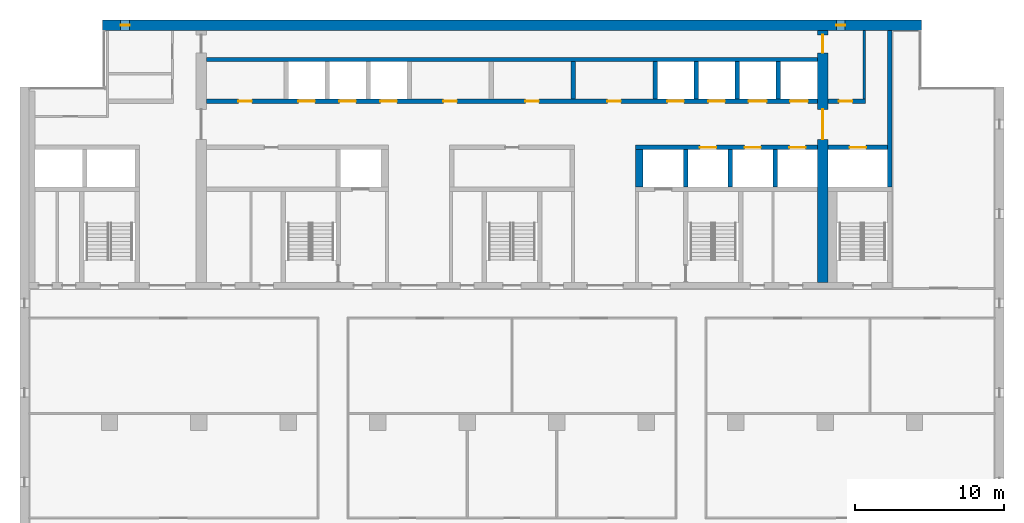
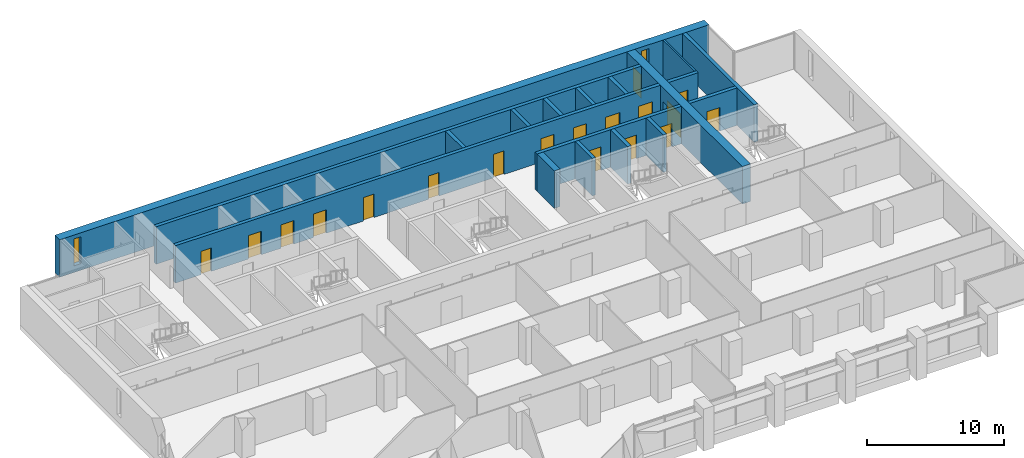
# One storey, part 11 of 17: 18 doors, 18 walls, 2 windows, 20 openings.
"""IFC4 building model written with IfcOpenShell, lengths in metres."""

from ifc_helpers import new_model, si_unit, direction, frame, frame_2d, origin, place, context, subcontext, project, spatial, rectangle, extrude, material, layer, layer_set, type_object, element, fill, save


model = new_model("IFC4")

# Units and contexts
model_context = context("Model", 3, precision=1e-05, world=origin(), true_north=direction((0.0, 1.0)))
body_context = subcontext(model_context, "Body", "Model", "MODEL_VIEW")
ifc_project = project(units=[si_unit("LENGTHUNIT", "METRE"), si_unit("AREAUNIT", "SQUARE_METRE"), si_unit("VOLUMEUNIT", "CUBIC_METRE"), si_unit("PLANEANGLEUNIT", "RADIAN"), si_unit("MASSUNIT", "GRAM", prefix="KILO")], contexts=[model_context])

# Site, building, storey
site_placement = place(None, origin())
site = spatial("IfcSite", under=ifc_project, at=site_placement, CompositionType="ELEMENT")
building_placement = place(site_placement, origin())
building = spatial("IfcBuilding", under=site, at=building_placement, Name="Calvaro Tower", CompositionType="ELEMENT")
storey_placement = place(building_placement, frame((0.0, 0.0, 189.25)))
storey = spatial("IfcBuildingStorey", under=building, at=storey_placement, Name="L47", CompositionType="ELEMENT", Elevation=189.25)

# Walls
ifc_material_1 = material(Name="Blockwork partition", Category="masonry")
ifc_layer_1 = layer(ifc_material_1, 0.14990234375)
ifc_layer_set_1 = layer_set([ifc_layer_1], Name="Blockwork partition")
wall_type_1 = type_object("IfcWallType", Name="Core partition 150 REI 120", PredefinedType="PARTITIONING", material=ifc_layer_set_1)
wall_1_placement = place(storey_placement, frame((62.625, 40.699951171875, 0.0), z_axis=(0.0, 0.0, 1.0), x_axis=(0.0, 1.0, 0.0)))
element("IfcWall", 1, at=wall_1_placement, inside=storey, type_object=wall_type_1, Name="Core partition", PredefinedType="PARTITIONING", context=body_context, shape_type="SweptSolid", body=[
    extrude(rectangle(XDim=4.60009765625, YDim=0.14990234375, at=frame_2d((2.300048828125, 0.0))), origin(), (0.0, 0.0, 1.0), 3.35009765625),
])
ifc_material_2 = material(Name="Blockwork partition", Category="masonry")
ifc_layer_2 = layer(ifc_material_2, 0.300048828125)
ifc_layer_set_2 = layer_set([ifc_layer_2], Name="Blockwork partition")
wall_type_2 = type_object("IfcWallType", Name="Core partition 300 EI 60", PredefinedType="PARTITIONING", material=ifc_layer_set_2)
wall_2_placement = place(storey_placement, frame((43.10009765625, 40.699951171875, 0.0), z_axis=(0.0, 0.0, 1.0), x_axis=(0.0, 1.0, 0.0)))
element("IfcWall", 2, at=wall_2_placement, inside=storey, type_object=wall_type_2, Name="Core partition", PredefinedType="PARTITIONING", context=body_context, shape_type="SweptSolid", body=[
    extrude(rectangle(XDim=2.5, YDim=0.300048828125, at=frame_2d((1.25, 0.0))), origin(), (0.0, 0.0, 1.0), 3.35009765625),
])

# Wall, opening, door
ifc_material_3 = material(Name="Blockwork partition", Category="masonry")
ifc_layer_3 = layer(ifc_material_3, 0.300048828125)
ifc_layer_set_3 = layer_set([ifc_layer_3], Name="Blockwork partition")
wall_type_3 = type_object("IfcWallType", Name="Core partition 300 REI 120", PredefinedType="PARTITIONING", material=ifc_layer_set_3)
wall_3_placement = place(storey_placement, frame((60.199951171875, 40.550048828125, 0.0), z_axis=(0.0, 0.0, 1.0), x_axis=(1.0, 0.0, 0.0)))
wall_3 = element("IfcWall", 3, at=wall_3_placement, inside=storey, type_object=wall_type_3, Name="Core partition", PredefinedType="PARTITIONING", context=body_context, shape_type="SweptSolid", body=[
    extrude(rectangle(XDim=2.5, YDim=0.300048828125, at=frame_2d((1.25, 0.0))), origin(), (0.0, 0.0, 1.0), 3.35009765625),
])
opening_1_placement = place(wall_3_placement, frame((0.72509765625, 0.0, 0.0)))
opening_1 = element("IfcOpeningElement", 4, at=opening_1_placement, cuts=wall_3, Name="Opening RD9E", PredefinedType="OPENING", context=body_context, shape_type="SweptSolid", body=[
    extrude(rectangle(XDim=0.89990234375, YDim=2.10009765625, at=frame_2d((0.449951171875, 1.050048828125))), frame((0.0, 0.159912109375, 0.0), z_axis=(0.0, -1.0, 0.0), x_axis=(1.0, 0.0, 0.0)), (0.0, 0.0, 1.0), 0.320068359375),
])
ifc_material_4 = material(Name="Steel door set", Category="steel")
door_type_1 = type_object("IfcDoorType", Name="Room door 900 FD60", OperationType="SINGLE_SWING_LEFT", PredefinedType="DOOR", material=ifc_material_4)
door_1_placement = place(opening_1_placement, origin())
door_1 = element("IfcDoor", 5, at=door_1_placement, inside=storey, type_object=door_type_1, Name="Room door", OperationType="SINGLE_SWING_LEFT", OverallHeight=2.10009765625, OverallWidth=0.89990234375, PredefinedType="DOOR", context=body_context, shape_type="SweptSolid", body=[
    extrude(rectangle(XDim=0.89990234375, YDim=2.10009765625, at=frame_2d((0.449951171875, 1.050048828125))), frame((0.0, 0.02490234375, 0.0), z_axis=(0.0, -1.0, 0.0), x_axis=(1.0, 0.0, 0.0)), (0.0, 0.0, 1.0), 0.050048828125),
])
fill(opening_1, door_1)

# Wall
ifc_material_5 = material(Name="Concrete C50/60", Category="concrete")
ifc_layer_4 = layer(ifc_material_5, 0.300048828125)
ifc_layer_set_4 = layer_set([ifc_layer_4], Name="Concrete C50/60")
wall_type_4 = type_object("IfcWallType", Name="Core wall C50/60 300", PredefinedType="SHEAR", material=ifc_layer_set_4)
wall_4_placement = place(storey_placement, frame((64.35009765625, 34.800048828125, 0.0), z_axis=(0.0, 0.0, 1.0), x_axis=(0.0, 1.0, 0.0)))
element("IfcWall", 6, at=wall_4_placement, inside=storey, type_object=wall_type_4, Name="Core wall, boundary", PredefinedType="SHEAR", context=body_context, shape_type="SweptSolid", body=[
    extrude(rectangle(XDim=10.5, YDim=0.300048828125, at=frame_2d((5.25, 0.0))), origin(), (0.0, 0.0, 1.0), 3.35009765625),
])

# Wall, openings, doors
wall_5_placement = place(storey_placement, frame((47.300048828125, 37.449951171875, 0.0), z_axis=(0.0, 0.0, 1.0), x_axis=(1.0, 0.0, 0.0)))
wall_5 = element("IfcWall", 7, at=wall_5_placement, inside=storey, type_object=wall_type_4, Name="Core wall, lift shaft", PredefinedType="SHEAR", context=body_context, shape_type="SweptSolid", body=[
    extrude(rectangle(XDim=12.199951171875, YDim=0.300048828125, at=frame_2d((6.10009765625, 0.0))), origin(), (0.0, 0.0, 1.0), 3.35009765625),
])
opening_2_placement = place(wall_5_placement, frame((4.300048828125, 0.0, 0.0)))
opening_2 = element("IfcOpeningElement", 8, at=opening_2_placement, cuts=wall_5, Name="Opening HR1", PredefinedType="OPENING", context=body_context, shape_type="SweptSolid", body=[
    extrude(rectangle(XDim=1.10009765625, YDim=2.10009765625, at=frame_2d((0.550048828125, 1.050048828125))), frame((0.0, 0.159912109375, 0.0), z_axis=(0.0, -1.0, 0.0), x_axis=(1.0, 0.0, 0.0)), (0.0, 0.0, 1.0), 0.320068359375),
])
opening_3_placement = place(wall_5_placement, frame((7.300048828125, 0.0, 0.0)))
opening_3 = element("IfcOpeningElement", 9, at=opening_3_placement, cuts=wall_5, Name="Opening HR2", PredefinedType="OPENING", context=body_context, shape_type="SweptSolid", body=[
    extrude(rectangle(XDim=1.10009765625, YDim=2.10009765625, at=frame_2d((0.550048828125, 1.050048828125))), frame((0.0, 0.159912109375, 0.0), z_axis=(0.0, -1.0, 0.0), x_axis=(1.0, 0.0, 0.0)), (0.0, 0.0, 1.0), 0.320068359375),
])
opening_4_placement = place(wall_5_placement, frame((10.300048828125, 0.0, 0.0)))
opening_4 = element("IfcOpeningElement", 10, at=opening_4_placement, cuts=wall_5, Name="Opening HR3", PredefinedType="OPENING", context=body_context, shape_type="SweptSolid", body=[
    extrude(rectangle(XDim=1.10009765625, YDim=2.10009765625, at=frame_2d((0.550048828125, 1.050048828125))), frame((0.0, 0.159912109375, 0.0), z_axis=(0.0, -1.0, 0.0), x_axis=(1.0, 0.0, 0.0)), (0.0, 0.0, 1.0), 0.320068359375),
])
ifc_material_6 = material(Name="Stainless steel", Category="steel")
door_type_2 = type_object("IfcDoorType", Name="Landing door 1100 E 60", OperationType="SLIDING_TO_LEFT", PredefinedType="DOOR", material=ifc_material_6)
door_2_placement = place(opening_2_placement, origin())
door_2 = element("IfcDoor", 11, at=door_2_placement, inside=storey, type_object=door_type_2, Name="Landing door HR1", OperationType="SLIDING_TO_LEFT", OverallHeight=2.10009765625, OverallWidth=1.10009765625, PredefinedType="DOOR", context=body_context, shape_type="SweptSolid", body=[
    extrude(rectangle(XDim=1.10009765625, YDim=2.10009765625, at=frame_2d((0.550048828125, 1.050048828125))), frame((0.0, 0.02490234375, 0.0), z_axis=(0.0, -1.0, 0.0), x_axis=(1.0, 0.0, 0.0)), (0.0, 0.0, 1.0), 0.050048828125),
])
fill(opening_2, door_2)
door_3_placement = place(opening_3_placement, origin())
door_3 = element("IfcDoor", 12, at=door_3_placement, inside=storey, type_object=door_type_2, Name="Landing door HR2", OperationType="SLIDING_TO_LEFT", OverallHeight=2.10009765625, OverallWidth=1.10009765625, PredefinedType="DOOR", context=body_context, shape_type="SweptSolid", body=[
    extrude(rectangle(XDim=1.10009765625, YDim=2.10009765625, at=frame_2d((0.550048828125, 1.050048828125))), frame((0.0, 0.02490234375, 0.0), z_axis=(0.0, -1.0, 0.0), x_axis=(1.0, 0.0, 0.0)), (0.0, 0.0, 1.0), 0.050048828125),
])
fill(opening_3, door_3)
door_4_placement = place(opening_4_placement, origin())
door_4 = element("IfcDoor", 13, at=door_4_placement, inside=storey, type_object=door_type_2, Name="Landing door HR3", OperationType="SLIDING_TO_LEFT", OverallHeight=2.10009765625, OverallWidth=1.10009765625, PredefinedType="DOOR", context=body_context, shape_type="SweptSolid", body=[
    extrude(rectangle(XDim=1.10009765625, YDim=2.10009765625, at=frame_2d((0.550048828125, 1.050048828125))), frame((0.0, 0.02490234375, 0.0), z_axis=(0.0, -1.0, 0.0), x_axis=(1.0, 0.0, 0.0)), (0.0, 0.0, 1.0), 0.050048828125),
])
fill(opening_4, door_4)

# Wall, opening, door
wall_6_placement = place(storey_placement, frame((60.199951171875, 37.449951171875, 0.0), z_axis=(0.0, 0.0, 1.0), x_axis=(1.0, 0.0, 0.0)))
wall_6 = element("IfcWall", 14, at=wall_6_placement, inside=storey, type_object=wall_type_4, Name="Core wall, lift shaft", PredefinedType="SHEAR", context=body_context, shape_type="SweptSolid", body=[
    extrude(rectangle(XDim=4.0, YDim=0.300048828125, at=frame_2d((2.0, 0.0))), origin(), (0.0, 0.0, 1.0), 3.35009765625),
])
opening_5_placement = place(wall_6_placement, frame((1.449951171875, 0.0, 0.0)))
opening_5 = element("IfcOpeningElement", 15, at=opening_5_placement, cuts=wall_6, Name="Opening FF3", PredefinedType="OPENING", context=body_context, shape_type="SweptSolid", body=[
    extrude(rectangle(XDim=1.10009765625, YDim=2.10009765625, at=frame_2d((0.550048828125, 1.050048828125))), frame((0.0, 0.159912109375, 0.0), z_axis=(0.0, -1.0, 0.0), x_axis=(1.0, 0.0, 0.0)), (0.0, 0.0, 1.0), 0.320068359375),
])
door_5_placement = place(opening_5_placement, origin())
door_5 = element("IfcDoor", 16, at=door_5_placement, inside=storey, type_object=door_type_2, Name="Landing door FF3", OperationType="SLIDING_TO_LEFT", OverallHeight=2.10009765625, OverallWidth=1.10009765625, PredefinedType="DOOR", context=body_context, shape_type="SweptSolid", body=[
    extrude(rectangle(XDim=1.10009765625, YDim=2.10009765625, at=frame_2d((0.550048828125, 1.050048828125))), frame((0.0, 0.02490234375, 0.0), z_axis=(0.0, -1.0, 0.0), x_axis=(1.0, 0.0, 0.0)), (0.0, 0.0, 1.0), 0.050048828125),
])
fill(opening_5, door_5)

# Wall
wall_7_placement = place(storey_placement, frame((50.64990234375, 34.800048828125, 0.0), z_axis=(0.0, 0.0, 1.0), x_axis=(0.0, 1.0, 0.0)))
element("IfcWall", 17, at=wall_7_placement, inside=storey, type_object=wall_type_4, Name="Core wall, lift shaft", PredefinedType="SHEAR", context=body_context, shape_type="SweptSolid", body=[
    extrude(rectangle(XDim=2.5, YDim=0.300048828125, at=frame_2d((1.25, 0.0))), origin(), (0.0, 0.0, 1.0), 3.35009765625),
])

# Wall, openings, doors
wall_8_placement = place(storey_placement, frame((18.5, 40.550048828125, 0.0), z_axis=(0.0, 0.0, 1.0), x_axis=(1.0, 0.0, 0.0)))
wall_8 = element("IfcWall", 18, at=wall_8_placement, inside=storey, type_object=wall_type_4, Name="Core wall, bay", PredefinedType="SHEAR", context=body_context, shape_type="SweptSolid", body=[
    extrude(rectangle(XDim=41.0, YDim=0.300048828125, at=frame_2d((20.5, 0.0))), origin(), (0.0, 0.0, 1.0), 3.35009765625),
])
opening_6_placement = place(wall_8_placement, frame((2.14990234375, 0.0, 0.0)))
opening_6 = element("IfcOpeningElement", 19, at=opening_6_placement, cuts=wall_8, Name="Opening RD9E", PredefinedType="OPENING", context=body_context, shape_type="SweptSolid", body=[
    extrude(rectangle(XDim=0.89990234375, YDim=2.10009765625, at=frame_2d((0.449951171875, 1.050048828125))), frame((0.0, 0.159912109375, 0.0), z_axis=(0.0, -1.0, 0.0), x_axis=(1.0, 0.0, 0.0)), (0.0, 0.0, 1.0), 0.320068359375),
])
opening_7_placement = place(wall_8_placement, frame((15.89990234375, 0.0, 0.0)))
opening_7 = element("IfcOpeningElement", 20, at=opening_7_placement, cuts=wall_8, Name="Opening RD9E", PredefinedType="OPENING", context=body_context, shape_type="SweptSolid", body=[
    extrude(rectangle(XDim=0.89990234375, YDim=2.10009765625, at=frame_2d((0.449951171875, 1.050048828125))), frame((0.0, 0.159912109375, 0.0), z_axis=(0.0, -1.0, 0.0), x_axis=(1.0, 0.0, 0.0)), (0.0, 0.0, 1.0), 0.320068359375),
])
opening_8_placement = place(wall_8_placement, frame((21.39990234375, 0.0, 0.0)))
opening_8 = element("IfcOpeningElement", 21, at=opening_8_placement, cuts=wall_8, Name="Opening RD9E", PredefinedType="OPENING", context=body_context, shape_type="SweptSolid", body=[
    extrude(rectangle(XDim=0.89990234375, YDim=2.10009765625, at=frame_2d((0.449951171875, 1.050048828125))), frame((0.0, 0.159912109375, 0.0), z_axis=(0.0, -1.0, 0.0), x_axis=(1.0, 0.0, 0.0)), (0.0, 0.0, 1.0), 0.320068359375),
])
opening_9_placement = place(wall_8_placement, frame((26.89990234375, 0.0, 0.0)))
opening_9 = element("IfcOpeningElement", 22, at=opening_9_placement, cuts=wall_8, Name="Opening RD9C", PredefinedType="OPENING", context=body_context, shape_type="SweptSolid", body=[
    extrude(rectangle(XDim=0.89990234375, YDim=2.10009765625, at=frame_2d((0.449951171875, 1.050048828125))), frame((0.0, 0.159912109375, 0.0), z_axis=(0.0, -1.0, 0.0), x_axis=(1.0, 0.0, 0.0)), (0.0, 0.0, 1.0), 0.320068359375),
])
opening_10_placement = place(wall_8_placement, frame((6.175048828125, 0.0, 0.0)))
opening_10 = element("IfcOpeningElement", 23, at=opening_10_placement, cuts=wall_8, Name="Opening HR4", PredefinedType="OPENING", context=body_context, shape_type="SweptSolid", body=[
    extrude(rectangle(XDim=1.10009765625, YDim=2.10009765625, at=frame_2d((0.550048828125, 1.050048828125))), frame((0.0, 0.159912109375, 0.0), z_axis=(0.0, -1.0, 0.0), x_axis=(1.0, 0.0, 0.0)), (0.0, 0.0, 1.0), 0.320068359375),
])
opening_11_placement = place(wall_8_placement, frame((8.925048828125, 0.0, 0.0)))
opening_11 = element("IfcOpeningElement", 24, at=opening_11_placement, cuts=wall_8, Name="Opening HR5", PredefinedType="OPENING", context=body_context, shape_type="SweptSolid", body=[
    extrude(rectangle(XDim=1.10009765625, YDim=2.10009765625, at=frame_2d((0.550048828125, 1.050048828125))), frame((0.0, 0.159912109375, 0.0), z_axis=(0.0, -1.0, 0.0), x_axis=(1.0, 0.0, 0.0)), (0.0, 0.0, 1.0), 0.320068359375),
])
opening_12_placement = place(wall_8_placement, frame((11.675048828125, 0.0, 0.0)))
opening_12 = element("IfcOpeningElement", 25, at=opening_12_placement, cuts=wall_8, Name="Opening HR6", PredefinedType="OPENING", context=body_context, shape_type="SweptSolid", body=[
    extrude(rectangle(XDim=1.10009765625, YDim=2.10009765625, at=frame_2d((0.550048828125, 1.050048828125))), frame((0.0, 0.159912109375, 0.0), z_axis=(0.0, -1.0, 0.0), x_axis=(1.0, 0.0, 0.0)), (0.0, 0.0, 1.0), 0.320068359375),
])
opening_13_placement = place(wall_8_placement, frame((30.925048828125, 0.0, 0.0)))
opening_13 = element("IfcOpeningElement", 26, at=opening_13_placement, cuts=wall_8, Name="Opening HR7", PredefinedType="OPENING", context=body_context, shape_type="SweptSolid", body=[
    extrude(rectangle(XDim=1.10009765625, YDim=2.10009765625, at=frame_2d((0.550048828125, 1.050048828125))), frame((0.0, 0.159912109375, 0.0), z_axis=(0.0, -1.0, 0.0), x_axis=(1.0, 0.0, 0.0)), (0.0, 0.0, 1.0), 0.320068359375),
])
opening_14_placement = place(wall_8_placement, frame((33.675048828125, 0.0, 0.0)))
opening_14 = element("IfcOpeningElement", 27, at=opening_14_placement, cuts=wall_8, Name="Opening HR8", PredefinedType="OPENING", context=body_context, shape_type="SweptSolid", body=[
    extrude(rectangle(XDim=1.10009765625, YDim=2.10009765625, at=frame_2d((0.550048828125, 1.050048828125))), frame((0.0, 0.159912109375, 0.0), z_axis=(0.0, -1.0, 0.0), x_axis=(1.0, 0.0, 0.0)), (0.0, 0.0, 1.0), 0.320068359375),
])
opening_15_placement = place(wall_8_placement, frame((36.375, 0.0, 0.0)))
opening_15 = element("IfcOpeningElement", 28, at=opening_15_placement, cuts=wall_8, Name="Opening SV1", PredefinedType="OPENING", context=body_context, shape_type="SweptSolid", body=[
    extrude(rectangle(XDim=1.199951171875, YDim=2.10009765625, at=frame_2d((0.60009765625, 1.050048828125))), frame((0.0, 0.159912109375, 0.0), z_axis=(0.0, -1.0, 0.0), x_axis=(1.0, 0.0, 0.0)), (0.0, 0.0, 1.0), 0.320068359375),
])
opening_16_placement = place(wall_8_placement, frame((39.14990234375, 0.0, 0.0)))
opening_16 = element("IfcOpeningElement", 29, at=opening_16_placement, cuts=wall_8, Name="Opening SV2", PredefinedType="OPENING", context=body_context, shape_type="SweptSolid", body=[
    extrude(rectangle(XDim=1.199951171875, YDim=2.10009765625, at=frame_2d((0.60009765625, 1.050048828125))), frame((0.0, 0.159912109375, 0.0), z_axis=(0.0, -1.0, 0.0), x_axis=(1.0, 0.0, 0.0)), (0.0, 0.0, 1.0), 0.320068359375),
])
door_6_placement = place(opening_10_placement, origin())
door_6 = element("IfcDoor", 30, at=door_6_placement, inside=storey, type_object=door_type_2, Name="Landing door HR4", OperationType="SLIDING_TO_LEFT", OverallHeight=2.10009765625, OverallWidth=1.10009765625, PredefinedType="DOOR", context=body_context, shape_type="SweptSolid", body=[
    extrude(rectangle(XDim=1.10009765625, YDim=2.10009765625, at=frame_2d((0.550048828125, 1.050048828125))), frame((0.0, 0.02490234375, 0.0), z_axis=(0.0, -1.0, 0.0), x_axis=(1.0, 0.0, 0.0)), (0.0, 0.0, 1.0), 0.050048828125),
])
fill(opening_10, door_6)
door_7_placement = place(opening_11_placement, origin())
door_7 = element("IfcDoor", 31, at=door_7_placement, inside=storey, type_object=door_type_2, Name="Landing door HR5", OperationType="SLIDING_TO_LEFT", OverallHeight=2.10009765625, OverallWidth=1.10009765625, PredefinedType="DOOR", context=body_context, shape_type="SweptSolid", body=[
    extrude(rectangle(XDim=1.10009765625, YDim=2.10009765625, at=frame_2d((0.550048828125, 1.050048828125))), frame((0.0, 0.02490234375, 0.0), z_axis=(0.0, -1.0, 0.0), x_axis=(1.0, 0.0, 0.0)), (0.0, 0.0, 1.0), 0.050048828125),
])
fill(opening_11, door_7)
door_8_placement = place(opening_12_placement, origin())
door_8 = element("IfcDoor", 32, at=door_8_placement, inside=storey, type_object=door_type_2, Name="Landing door HR6", OperationType="SLIDING_TO_LEFT", OverallHeight=2.10009765625, OverallWidth=1.10009765625, PredefinedType="DOOR", context=body_context, shape_type="SweptSolid", body=[
    extrude(rectangle(XDim=1.10009765625, YDim=2.10009765625, at=frame_2d((0.550048828125, 1.050048828125))), frame((0.0, 0.02490234375, 0.0), z_axis=(0.0, -1.0, 0.0), x_axis=(1.0, 0.0, 0.0)), (0.0, 0.0, 1.0), 0.050048828125),
])
fill(opening_12, door_8)
door_9_placement = place(opening_13_placement, origin())
door_9 = element("IfcDoor", 33, at=door_9_placement, inside=storey, type_object=door_type_2, Name="Landing door HR7", OperationType="SLIDING_TO_LEFT", OverallHeight=2.10009765625, OverallWidth=1.10009765625, PredefinedType="DOOR", context=body_context, shape_type="SweptSolid", body=[
    extrude(rectangle(XDim=1.10009765625, YDim=2.10009765625, at=frame_2d((0.550048828125, 1.050048828125))), frame((0.0, 0.02490234375, 0.0), z_axis=(0.0, -1.0, 0.0), x_axis=(1.0, 0.0, 0.0)), (0.0, 0.0, 1.0), 0.050048828125),
])
fill(opening_13, door_9)
door_10_placement = place(opening_14_placement, origin())
door_10 = element("IfcDoor", 34, at=door_10_placement, inside=storey, type_object=door_type_2, Name="Landing door HR8", OperationType="SLIDING_TO_LEFT", OverallHeight=2.10009765625, OverallWidth=1.10009765625, PredefinedType="DOOR", context=body_context, shape_type="SweptSolid", body=[
    extrude(rectangle(XDim=1.10009765625, YDim=2.10009765625, at=frame_2d((0.550048828125, 1.050048828125))), frame((0.0, 0.02490234375, 0.0), z_axis=(0.0, -1.0, 0.0), x_axis=(1.0, 0.0, 0.0)), (0.0, 0.0, 1.0), 0.050048828125),
])
fill(opening_14, door_10)
ifc_material_7 = material(Name="Stainless steel", Category="steel")
door_type_3 = type_object("IfcDoorType", Name="Landing door 1200 E 60", OperationType="SLIDING_TO_LEFT", PredefinedType="DOOR", material=ifc_material_7)
door_11_placement = place(opening_15_placement, origin())
door_11 = element("IfcDoor", 35, at=door_11_placement, inside=storey, type_object=door_type_3, Name="Landing door SV1", OperationType="SLIDING_TO_LEFT", OverallHeight=2.10009765625, OverallWidth=1.199951171875, PredefinedType="DOOR", context=body_context, shape_type="SweptSolid", body=[
    extrude(rectangle(XDim=1.199951171875, YDim=2.10009765625, at=frame_2d((0.60009765625, 1.050048828125))), frame((0.0, 0.02490234375, 0.0), z_axis=(0.0, -1.0, 0.0), x_axis=(1.0, 0.0, 0.0)), (0.0, 0.0, 1.0), 0.050048828125),
])
fill(opening_15, door_11)
door_12_placement = place(opening_16_placement, origin())
door_12 = element("IfcDoor", 36, at=door_12_placement, inside=storey, type_object=door_type_3, Name="Landing door SV2", OperationType="SLIDING_TO_LEFT", OverallHeight=2.10009765625, OverallWidth=1.199951171875, PredefinedType="DOOR", context=body_context, shape_type="SweptSolid", body=[
    extrude(rectangle(XDim=1.199951171875, YDim=2.10009765625, at=frame_2d((0.60009765625, 1.050048828125))), frame((0.0, 0.02490234375, 0.0), z_axis=(0.0, -1.0, 0.0), x_axis=(1.0, 0.0, 0.0)), (0.0, 0.0, 1.0), 0.050048828125),
])
fill(opening_16, door_12)
ifc_material_8 = material(Name="Steel door set", Category="steel")
door_type_4 = type_object("IfcDoorType", Name="Room door 900 FD30", OperationType="SINGLE_SWING_LEFT", PredefinedType="DOOR", material=ifc_material_8)
door_13_placement = place(opening_9_placement, origin())
door_13 = element("IfcDoor", 37, at=door_13_placement, inside=storey, type_object=door_type_4, Name="Room door", OperationType="SINGLE_SWING_LEFT", OverallHeight=2.10009765625, OverallWidth=0.89990234375, PredefinedType="DOOR", context=body_context, shape_type="SweptSolid", body=[
    extrude(rectangle(XDim=0.89990234375, YDim=2.10009765625, at=frame_2d((0.449951171875, 1.050048828125))), frame((0.0, 0.02490234375, 0.0), z_axis=(0.0, -1.0, 0.0), x_axis=(1.0, 0.0, 0.0)), (0.0, 0.0, 1.0), 0.050048828125),
])
fill(opening_9, door_13)
door_14_placement = place(opening_6_placement, origin())
door_14 = element("IfcDoor", 38, at=door_14_placement, inside=storey, type_object=door_type_1, Name="Room door", OperationType="SINGLE_SWING_RIGHT", OverallHeight=2.10009765625, OverallWidth=0.89990234375, PredefinedType="DOOR", context=body_context, shape_type="SweptSolid", body=[
    extrude(rectangle(XDim=0.89990234375, YDim=2.10009765625, at=frame_2d((0.449951171875, 1.050048828125))), frame((0.0, 0.02490234375, 0.0), z_axis=(0.0, -1.0, 0.0), x_axis=(1.0, 0.0, 0.0)), (0.0, 0.0, 1.0), 0.050048828125),
])
fill(opening_6, door_14)
door_15_placement = place(opening_7_placement, origin())
door_15 = element("IfcDoor", 39, at=door_15_placement, inside=storey, type_object=door_type_1, Name="Room door", OperationType="SINGLE_SWING_LEFT", OverallHeight=2.10009765625, OverallWidth=0.89990234375, PredefinedType="DOOR", context=body_context, shape_type="SweptSolid", body=[
    extrude(rectangle(XDim=0.89990234375, YDim=2.10009765625, at=frame_2d((0.449951171875, 1.050048828125))), frame((0.0, 0.02490234375, 0.0), z_axis=(0.0, -1.0, 0.0), x_axis=(1.0, 0.0, 0.0)), (0.0, 0.0, 1.0), 0.050048828125),
])
fill(opening_7, door_15)
door_16_placement = place(opening_8_placement, origin())
door_16 = element("IfcDoor", 40, at=door_16_placement, inside=storey, type_object=door_type_1, Name="Room door", OperationType="SINGLE_SWING_LEFT", OverallHeight=2.10009765625, OverallWidth=0.89990234375, PredefinedType="DOOR", context=body_context, shape_type="SweptSolid", body=[
    extrude(rectangle(XDim=0.89990234375, YDim=2.10009765625, at=frame_2d((0.449951171875, 1.050048828125))), frame((0.0, 0.02490234375, 0.0), z_axis=(0.0, -1.0, 0.0), x_axis=(1.0, 0.0, 0.0)), (0.0, 0.0, 1.0), 0.050048828125),
])
fill(opening_8, door_16)

# Walls
wall_9_placement = place(storey_placement, frame((18.5, 43.35009765625, 0.0), z_axis=(0.0, 0.0, 1.0), x_axis=(1.0, 0.0, 0.0)))
element("IfcWall", 41, at=wall_9_placement, inside=storey, type_object=wall_type_4, Name="Core wall, lift shaft", PredefinedType="SHEAR", context=body_context, shape_type="SweptSolid", body=[
    extrude(rectangle(XDim=41.0, YDim=0.300048828125, at=frame_2d((20.5, 0.0))), origin(), (0.0, 0.0, 1.0), 3.35009765625),
])
for number, where, z_axis, x_axis, name in (
    (42, (53.64990234375, 34.800048828125, 0.0), (0.0, 0.0, 1.0), (0.0, 1.0, 0.0), "Core wall, lift shaft"),
    (43, (56.64990234375, 34.800048828125, 0.0), (0.0, 0.0, 1.0), (0.0, 1.0, 0.0), "Core wall, lift shaft"),
    (44, (48.60009765625, 40.699951171875, 0.0), (0.0, 0.0, 1.0), (0.0, 1.0, 0.0), "Core wall, lift shaft"),
    (45, (51.35009765625, 40.699951171875, 0.0), (0.0, 0.0, 1.0), (0.0, 1.0, 0.0), "Core wall, lift shaft"),
    (46, (54.10009765625, 40.699951171875, 0.0), (0.0, 0.0, 1.0), (0.0, 1.0, 0.0), "Core wall, lift shaft"),
    (47, (56.85009765625, 40.699951171875, 0.0), (0.0, 0.0, 1.0), (0.0, 1.0, 0.0), "Core wall, lift shaft"),
):
    element("IfcWall", number, at=place(storey_placement, frame(where, z_axis=z_axis, x_axis=x_axis)), inside=storey, type_object=wall_type_4, Name=name, PredefinedType="SHEAR", context=body_context, shape_type="SweptSolid", body=[
        extrude(rectangle(XDim=2.5, YDim=0.300048828125, at=frame_2d((1.25, 0.0))), origin(), (0.0, 0.0, 1.0), 3.35009765625),
    ])
ifc_material_9 = material(Name="Concrete C50/60", Category="concrete")
ifc_layer_5 = layer(ifc_material_9, 0.5)
ifc_layer_set_5 = layer_set([ifc_layer_5], Name="Concrete C50/60")
wall_type_5 = type_object("IfcWallType", Name="Core wall C50/60 500", PredefinedType="SHEAR", material=ifc_layer_set_5)
wall_10_placement = place(storey_placement, frame((47.550048828125, 34.800048828125, 0.0), z_axis=(0.0, 0.0, 1.0), x_axis=(0.0, 1.0, 0.0)))
element("IfcWall", 48, at=wall_10_placement, inside=storey, type_object=wall_type_5, Name="Core wall, lift shaft", PredefinedType="SHEAR", context=body_context, shape_type="SweptSolid", body=[
    extrude(rectangle(XDim=2.5, YDim=0.5, at=frame_2d((1.25, 0.0))), origin(), (0.0, 0.0, 1.0), 3.35009765625),
])

# Wall, openings, doors
ifc_material_10 = material(Name="Concrete C50/60", Category="concrete")
ifc_layer_6 = layer(ifc_material_10, 0.699951171875)
ifc_layer_set_6 = layer_set([ifc_layer_6], Name="Concrete C50/60")
wall_type_6 = type_object("IfcWallType", Name="Core wall C50/60 700", PredefinedType="SHEAR", material=ifc_layer_set_6)
wall_11_placement = place(storey_placement, frame((59.85009765625, 28.39990234375, 0.0), z_axis=(0.0, 0.0, 1.0), x_axis=(0.0, 1.0, 0.0)))
wall_11 = element("IfcWall", 49, at=wall_11_placement, inside=storey, type_object=wall_type_6, Name="Core wall, cross shear wall", PredefinedType="SHEAR", context=body_context, shape_type="SweptSolid", body=[
    extrude(rectangle(XDim=16.900146484375, YDim=0.699951171875, at=frame_2d((8.4501953125, 0.0))), origin(), (0.0, 0.0, 1.0), 3.35009765625),
])
opening_17_placement = place(wall_11_placement, frame((9.60009765625, 0.0, 0.0)))
opening_17 = element("IfcOpeningElement", 50, at=opening_17_placement, cuts=wall_11, Name="Opening DD20D", PredefinedType="OPENING", context=body_context, shape_type="SweptSolid", body=[
    extrude(rectangle(XDim=2.0, YDim=2.10009765625, at=frame_2d((1.0, 1.050048828125))), frame((0.0, 0.35986328125, 0.0), z_axis=(0.0, -1.0, 0.0), x_axis=(1.0, 0.0, 0.0)), (0.0, 0.0, 1.0), 0.719970703125),
])
opening_18_placement = place(wall_11_placement, frame((15.39990234375, 0.0, 0.0)))
opening_18 = element("IfcOpeningElement", 51, at=opening_18_placement, cuts=wall_11, Name="Opening FD12C", PredefinedType="OPENING", context=body_context, shape_type="SweptSolid", body=[
    extrude(rectangle(XDim=1.199951171875, YDim=2.10009765625, at=frame_2d((0.60009765625, 1.050048828125))), frame((0.0, 0.35986328125, 0.0), z_axis=(0.0, -1.0, 0.0), x_axis=(1.0, 0.0, 0.0)), (0.0, 0.0, 1.0), 0.719970703125),
])
ifc_material_11 = material(Name="Steel door set", Category="steel")
door_type_5 = type_object("IfcDoorType", Name="Fire door 1200 FD30", OperationType="SINGLE_SWING_LEFT", PredefinedType="DOOR", material=ifc_material_11)
door_17_placement = place(opening_18_placement, origin())
door_17 = element("IfcDoor", 52, at=door_17_placement, inside=storey, type_object=door_type_5, Name="Fire door", OperationType="SINGLE_SWING_LEFT", OverallHeight=2.10009765625, OverallWidth=1.199951171875, PredefinedType="DOOR", context=body_context, shape_type="SweptSolid", body=[
    extrude(rectangle(XDim=1.199951171875, YDim=2.10009765625, at=frame_2d((0.60009765625, 1.050048828125))), frame((0.0, 0.02490234375, 0.0), z_axis=(0.0, -1.0, 0.0), x_axis=(1.0, 0.0, 0.0)), (0.0, 0.0, 1.0), 0.050048828125),
])
fill(opening_18, door_17)
ifc_material_12 = material(Name="Steel door set", Category="steel")
door_type_6 = type_object("IfcDoorType", Name="Lobby double door 2000 FD30S", OperationType="DOUBLE_DOOR_SINGLE_SWING", PredefinedType="DOOR", material=ifc_material_12)
door_18_placement = place(opening_17_placement, origin())
door_18 = element("IfcDoor", 53, at=door_18_placement, inside=storey, type_object=door_type_6, Name="Lobby double door", OperationType="DOUBLE_DOOR_SINGLE_SWING", OverallHeight=2.10009765625, OverallWidth=2.0, PredefinedType="DOOR", context=body_context, shape_type="SweptSolid", body=[
    extrude(rectangle(XDim=2.0, YDim=2.10009765625, at=frame_2d((1.0, 1.050048828125))), frame((0.0, 0.02490234375, 0.0), z_axis=(0.0, -1.0, 0.0), x_axis=(1.0, 0.0, 0.0)), (0.0, 0.0, 1.0), 0.050048828125),
])
fill(opening_17, door_18)

# Wall, openings, windows
ifc_material_13 = material(Name="Concrete C50/60", Category="concrete")
ifc_layer_7 = layer(ifc_material_13, 0.699951171875)
ifc_layer_set_7 = layer_set([ifc_layer_7], Name="Concrete C50/60")
wall_type_7 = type_object("IfcWallType", Name="Rear core wall 700 C50/60", PredefinedType="SHEAR", material=ifc_layer_set_7)
wall_12_placement = place(storey_placement, frame((11.550048828125, 45.64990234375, 0.0), z_axis=(0.0, 0.0, 1.0), x_axis=(1.0, 0.0, 0.0)))
wall_12 = element("IfcWall", 54, at=wall_12_placement, inside=storey, type_object=wall_type_7, Name="North core wall", PredefinedType="SHEAR", context=body_context, shape_type="SweptSolid", body=[
    extrude(rectangle(XDim=54.89990234375, YDim=0.699951171875, at=frame_2d((27.449951171875, 0.0))), origin(), (0.0, 0.0, 1.0), 3.35009765625),
])
opening_19_placement = place(wall_12_placement, frame((1.199951171875, 0.0, 0.60009765625)))
opening_19 = element("IfcOpeningElement", 55, at=opening_19_placement, cuts=wall_12, Name="Opening WN01", PredefinedType="OPENING", context=body_context, shape_type="SweptSolid", body=[
    extrude(rectangle(XDim=0.60009765625, YDim=2.39990234375, at=frame_2d((0.300048828125, 1.199951171875))), frame((0.0, 0.35986328125, 0.0), z_axis=(0.0, -1.0, 0.0), x_axis=(1.0, 0.0, 0.0)), (0.0, 0.0, 1.0), 0.719970703125),
])
opening_20_placement = place(wall_12_placement, frame((49.199951171875, 0.0, 0.60009765625)))
opening_20 = element("IfcOpeningElement", 56, at=opening_20_placement, cuts=wall_12, Name="Opening WN09", PredefinedType="OPENING", context=body_context, shape_type="SweptSolid", body=[
    extrude(rectangle(XDim=0.60009765625, YDim=2.39990234375, at=frame_2d((0.300048828125, 1.199951171875))), frame((0.0, 0.35986328125, 0.0), z_axis=(0.0, -1.0, 0.0), x_axis=(1.0, 0.0, 0.0)), (0.0, 0.0, 1.0), 0.719970703125),
])
ifc_material_14 = material(Name="Glass", Category="glass")
window_type = type_object("IfcWindowType", Name="Slit window 600 x 2400", PartitioningType="SINGLE_PANEL", PredefinedType="WINDOW", material=ifc_material_14)
window_1_placement = place(opening_19_placement, origin())
window_1 = element("IfcWindow", 57, at=window_1_placement, inside=storey, type_object=window_type, Name="Window WN01", OverallHeight=2.39990234375, OverallWidth=0.60009765625, PartitioningType="SINGLE_PANEL", PredefinedType="WINDOW", context=body_context, shape_type="SweptSolid", body=[
    extrude(rectangle(XDim=0.60009765625, YDim=2.39990234375, at=frame_2d((0.300048828125, 1.199951171875))), frame((0.0, 0.030029296875, 0.0), z_axis=(0.0, -1.0, 0.0), x_axis=(1.0, 0.0, 0.0)), (0.0, 0.0, 1.0), 0.06005859375),
])
fill(opening_19, window_1)
window_2_placement = place(opening_20_placement, origin())
window_2 = element("IfcWindow", 58, at=window_2_placement, inside=storey, type_object=window_type, Name="Window WN09", OverallHeight=2.39990234375, OverallWidth=0.60009765625, PartitioningType="SINGLE_PANEL", PredefinedType="WINDOW", context=body_context, shape_type="SweptSolid", body=[
    extrude(rectangle(XDim=0.60009765625, YDim=2.39990234375, at=frame_2d((0.300048828125, 1.199951171875))), frame((0.0, 0.030029296875, 0.0), z_axis=(0.0, -1.0, 0.0), x_axis=(1.0, 0.0, 0.0)), (0.0, 0.0, 1.0), 0.06005859375),
])
fill(opening_20, window_2)

save(model, "model.ifc")
